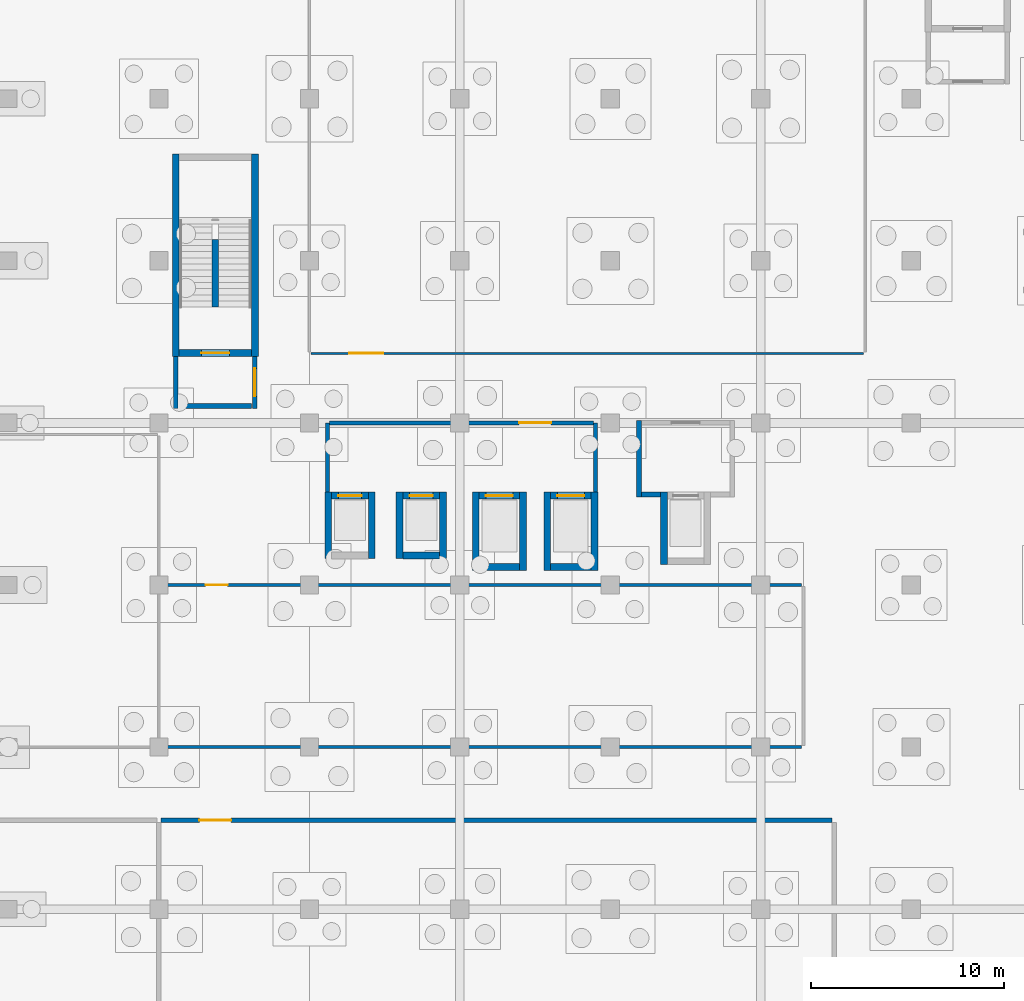
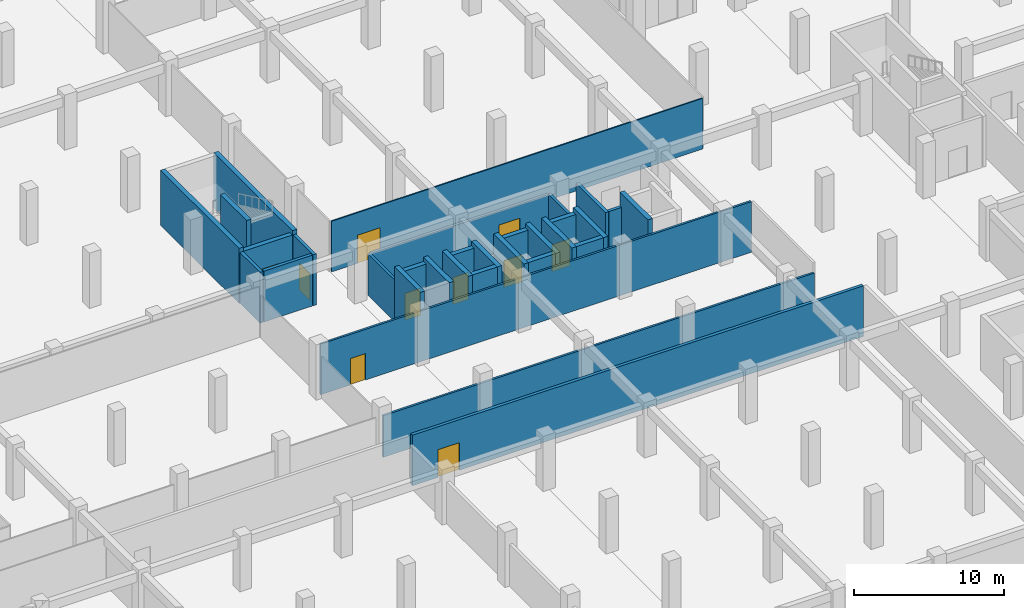
# One storey, part 17 of 30: 32 walls, 10 doors, 10 openings.
"""IFC4 building model written with IfcOpenShell, lengths in metres."""

from ifc_helpers import new_model, si_unit, direction, frame, frame_2d, origin, place, context, subcontext, project, spatial, rectangle, extrude, material, layer, layer_set, type_object, element, fill, save


model = new_model("IFC4")

# Units and contexts
model_context = context("Model", 3, precision=1e-05, world=origin(), true_north=direction((0.0, 1.0)))
body_context = subcontext(model_context, "Body", "Model", "MODEL_VIEW")
ifc_project = project(units=[si_unit("LENGTHUNIT", "METRE"), si_unit("AREAUNIT", "SQUARE_METRE"), si_unit("VOLUMEUNIT", "CUBIC_METRE"), si_unit("PLANEANGLEUNIT", "RADIAN"), si_unit("MASSUNIT", "GRAM", prefix="KILO"), si_unit("THERMODYNAMICTEMPERATUREUNIT", "KELVIN"), si_unit("POWERUNIT", "WATT")], contexts=[model_context])

# Site, building, storey
site_placement = place(None, origin())
site = spatial("IfcSite", under=ifc_project, at=site_placement, CompositionType="ELEMENT")
building_placement = place(site_placement, origin())
building = spatial("IfcBuilding", under=site, at=building_placement, Name="Srebrne Nadtorze General Hospital", CompositionType="ELEMENT")
storey_placement = place(building_placement, frame((0.0, 0.0, -4.5)))
storey = spatial("IfcBuildingStorey", under=building, at=storey_placement, Name="B1", CompositionType="ELEMENT", Elevation=-4.5)

# Wall, opening, door
ifc_material_1 = material(Name="Gypsum Healthcare Partition")
ifc_layer_1 = layer(ifc_material_1, 0.159912109375)
ifc_layer_set_1 = layer_set([ifc_layer_1], Name="Gypsum Healthcare Partition")
wall_type_1 = type_object("IfcWallType", Name="Clinical partition 160", PredefinedType="PARTITIONING", material=ifc_layer_set_1)
wall_1_placement = place(storey_placement, frame((101.485107421875, 42.0, 0.0), z_axis=(0.0, 0.0, 1.0), x_axis=(1.0, 0.0, 0.0)))
wall_1 = element("IfcWall", 1, at=wall_1_placement, inside=storey, type_object=wall_type_1, Name="Cryogenic Tissue and Specimen Bank wall WL-INT-B1-1276", PredefinedType="PARTITIONING", context=body_context, shape_type="SweptSolid", body=[
    extrude(rectangle(XDim=33.22998046875, YDim=0.159912109375, at=frame_2d((16.614990234375, 0.0))), origin(), (0.0, 0.0, 1.0), 4.1298828125),
])
opening_1_placement = place(wall_1_placement, frame((2.328857421875, 0.0, 0.0)))
opening_1 = element("IfcOpeningElement", 2, at=opening_1_placement, cuts=wall_1, Name="Opening D-B1-0183", PredefinedType="OPENING", context=body_context, shape_type="SweptSolid", body=[
    extrude(rectangle(XDim=1.14990234375, YDim=2.14990234375, at=frame_2d((0.574951171875, 1.074951171875))), frame((0.0, 0.091796875, 0.0), z_axis=(0.0, -1.0, 0.0), x_axis=(1.0, 0.0, 0.0)), (0.0, 0.0, 1.0), 0.183837890625),
])
ifc_material_2 = material(Name="Anodised Aluminium", Category="aluminium")
door_type_1 = type_object("IfcDoorType", Name="Single leaf door 1150x2150", OperationType="NOTDEFINED", PredefinedType="DOOR", material=ifc_material_2)
door_1_placement = place(opening_1_placement, frame((1.14990234375, 0.0, 0.0), z_axis=(0.0, 0.0, 1.0), x_axis=(-1.0, 0.0, 0.0)))
door_1 = element("IfcDoor", 3, at=door_1_placement, inside=storey, type_object=door_type_1, Name="Cryogenic Tissue and Specimen Bank door D-B1-0183", OperationType="SINGLE_SWING_RIGHT", OverallHeight=2.14990234375, OverallWidth=1.14990234375, PredefinedType="DOOR", context=body_context, shape_type="SweptSolid", body=[
    extrude(rectangle(XDim=1.14990234375, YDim=2.14990234375, at=frame_2d((0.574951171875, 1.074951171875))), frame((0.0, 0.02490234375, 0.0), z_axis=(0.0, -1.0, 0.0), x_axis=(1.0, 0.0, 0.0)), (0.0, 0.0, 1.0), 0.050048828125),
])
fill(opening_1, door_1)

# Walls
wall_2_placement = place(storey_placement, frame((101.485107421875, 33.60009765625, 0.0), z_axis=(0.0, 0.0, 1.0), x_axis=(1.0, 0.0, 0.0)))
element("IfcWall", 4, at=wall_2_placement, inside=storey, type_object=wall_type_1, Name="Cryogenic Tissue and Specimen Bank wall WL-INT-B1-1277", PredefinedType="PARTITIONING", context=body_context, shape_type="SweptSolid", body=[
    extrude(rectangle(XDim=33.22998046875, YDim=0.159912109375, at=frame_2d((16.614990234375, 0.0))), origin(), (0.0, 0.0, 1.0), 3.39990234375),
])
ifc_material_3 = material(Name="Gypsum Healthcare Partition")
ifc_layer_2 = layer(ifc_material_3, 0.199951171875)
ifc_layer_set_2 = layer_set([ifc_layer_2], Name="Gypsum Healthcare Partition")
wall_type_2 = type_object("IfcWallType", Name="Compartment wall 200", PredefinedType="STANDARD", material=ifc_layer_set_2)
for number, where, z_axis, x_axis, name in (
    (5, (110.1298828125, 46.81005859375, 0.0), (0.0, 0.0, 1.0), (0.0, 1.0, 0.0), "Lift lobby side wall WL-INT-B1-0888"),
    (6, (124.02001953125, 46.81005859375, 0.0), (0.0, 0.0, 1.0), (0.0, 1.0, 0.0), "Lift lobby side wall WL-INT-B1-0889"),
):
    element("IfcWall", number, at=place(storey_placement, frame(where, z_axis=z_axis, x_axis=x_axis)), inside=storey, type_object=wall_type_2, Name=name, PredefinedType="STANDARD", context=body_context, shape_type="SweptSolid", body=[
        extrude(rectangle(XDim=3.58984375, YDim=0.199951171875, at=frame_2d((1.794921875, 0.0))), origin(), (0.0, 0.0, 1.0), 3.39990234375),
    ])

# Wall, opening, door
wall_3_placement = place(storey_placement, frame((110.22998046875, 50.39990234375, 0.0), z_axis=(0.0, 0.0, 1.0), x_axis=(1.0, 0.0, 0.0)))
wall_3 = element("IfcWall", 7, at=wall_3_placement, inside=storey, type_object=wall_type_2, Name="Lift lobby corridor wall WL-INT-B1-0890", PredefinedType="STANDARD", context=body_context, shape_type="SweptSolid", body=[
    extrude(rectangle(XDim=13.68994140625, YDim=0.199951171875, at=frame_2d((6.844970703125, 0.0))), origin(), (0.0, 0.0, 1.0), 3.39990234375),
])
opening_2_placement = place(wall_3_placement, frame((9.844970703125, 0.0, 0.0)))
opening_2 = element("IfcOpeningElement", 8, at=opening_2_placement, cuts=wall_3, Name="Opening D-B1-0121", PredefinedType="OPENING", context=body_context, shape_type="SweptSolid", body=[
    extrude(rectangle(XDim=1.64990234375, YDim=2.25, at=frame_2d((0.824951171875, 1.125))), frame((0.0, 0.11181640625, 0.0), z_axis=(0.0, -1.0, 0.0), x_axis=(1.0, 0.0, 0.0)), (0.0, 0.0, 1.0), 0.223876953125),
])
ifc_material_4 = material(Name="Anodised Aluminium", Category="aluminium")
door_type_2 = type_object("IfcDoorType", Name="Double leaf door 1650x2250", OperationType="DOUBLE_DOOR_SINGLE_SWING", PredefinedType="DOOR", material=ifc_material_4)
door_2_placement = place(opening_2_placement, origin())
door_2 = element("IfcDoor", 9, at=door_2_placement, inside=storey, type_object=door_type_2, Name="Lift lobby corridor door D-B1-0121", OperationType="DOUBLE_DOOR_SINGLE_SWING", OverallHeight=2.25, OverallWidth=1.64990234375, PredefinedType="DOOR", context=body_context, shape_type="SweptSolid", body=[
    extrude(rectangle(XDim=1.64990234375, YDim=2.25, at=frame_2d((0.824951171875, 1.125))), frame((0.0, 0.02490234375, 0.0), z_axis=(0.0, -1.0, 0.0), x_axis=(1.0, 0.0, 0.0)), (0.0, 0.0, 1.0), 0.050048828125),
])
fill(opening_2, door_2)

# Wall
ifc_material_5 = material(Name="Gypsum Healthcare Partition")
ifc_layer_3 = layer(ifc_material_5, 0.239990234375)
ifc_layer_set_3 = layer_set([ifc_layer_3], Name="Gypsum Healthcare Partition")
wall_type_3 = type_object("IfcWallType", Name="Corridor fire wall 240", PredefinedType="STANDARD", material=ifc_layer_set_3)
wall_4_placement = place(storey_placement, frame((102.27490234375, 51.155029296875, 0.0), z_axis=(0.0, 0.0, 1.0), x_axis=(0.0, 1.0, 0.0)))
element("IfcWall", 10, at=wall_4_placement, inside=storey, type_object=wall_type_3, Name="Fire lobby wall ST-03 WL-INT-B1-0021", PredefinedType="STANDARD", context=body_context, shape_type="SweptSolid", body=[
    extrude(rectangle(XDim=2.695068359375, YDim=0.239990234375, at=frame_2d((1.34765625, 0.0))), origin(), (0.0, 0.0, 1.0), 4.14990234375),
])

# Wall, opening, door
wall_5_placement = place(storey_placement, frame((106.375, 51.155029296875, 0.0), z_axis=(0.0, 0.0, 1.0), x_axis=(0.0, 1.0, 0.0)))
wall_5 = element("IfcWall", 11, at=wall_5_placement, inside=storey, type_object=wall_type_3, Name="Fire lobby wall ST-03 WL-INT-B1-0022", PredefinedType="STANDARD", context=body_context, shape_type="SweptSolid", body=[
    extrude(rectangle(XDim=2.695068359375, YDim=0.239990234375, at=frame_2d((1.34765625, 0.0))), origin(), (0.0, 0.0, 1.0), 4.14990234375),
])
opening_3_placement = place(wall_5_placement, frame((0.62255859375, 0.0, 0.0)))
opening_3 = element("IfcOpeningElement", 12, at=opening_3_placement, cuts=wall_5, Name="Opening D-B1-0006", PredefinedType="OPENING", context=body_context, shape_type="SweptSolid", body=[
    extrude(rectangle(XDim=1.449951171875, YDim=2.199951171875, at=frame_2d((0.72509765625, 1.10009765625))), frame((0.0, 0.1318359375, 0.0), z_axis=(0.0, -1.0, 0.0), x_axis=(1.0, 0.0, 0.0)), (0.0, 0.0, 1.0), 0.263916015625),
])
ifc_material_6 = material(Name="Anodised Aluminium", Category="aluminium")
door_type_3 = type_object("IfcDoorType", Name="Double leaf door 1450x2200", OperationType="DOUBLE_DOOR_SINGLE_SWING", PredefinedType="DOOR", material=ifc_material_6)
door_3_placement = place(opening_3_placement, origin())
door_3 = element("IfcDoor", 13, at=door_3_placement, inside=storey, type_object=door_type_3, Name="Fire lobby door ST-03 D-B1-0006", OperationType="DOUBLE_DOOR_SINGLE_SWING", OverallHeight=2.199951171875, OverallWidth=1.449951171875, PredefinedType="DOOR", context=body_context, shape_type="SweptSolid", body=[
    extrude(rectangle(XDim=1.449951171875, YDim=2.199951171875, at=frame_2d((0.72509765625, 1.10009765625))), frame((0.0, 0.02490234375, 0.0), z_axis=(0.0, -1.0, 0.0), x_axis=(1.0, 0.0, 0.0)), (0.0, 0.0, 1.0), 0.050048828125),
])
fill(opening_3, door_3)

# Walls
wall_6_placement = place(storey_placement, frame((102.449951171875, 51.27490234375, 0.0), z_axis=(0.0, 0.0, 1.0), x_axis=(1.0, 0.0, 0.0)))
element("IfcWall", 14, at=wall_6_placement, inside=storey, type_object=wall_type_3, Name="Fire lobby entry wall ST-03 WL-INT-B1-0023", PredefinedType="STANDARD", context=body_context, shape_type="SweptSolid", body=[
    extrude(rectangle(XDim=3.75, YDim=0.239990234375, at=frame_2d((1.875, 0.0))), origin(), (0.0, 0.0, 1.0), 4.14990234375),
])
wall_7_placement = place(storey_placement, frame((126.280029296875, 46.570068359375, 0.0), z_axis=(0.0, 0.0, 1.0), x_axis=(0.0, 1.0, 0.0)))
element("IfcWall", 15, at=wall_7_placement, inside=storey, type_object=wall_type_3, Name="FF lift lobby wall WL-INT-B1-0883", PredefinedType="STANDARD", context=body_context, shape_type="SweptSolid", body=[
    extrude(rectangle(XDim=3.949951171875, YDim=0.239990234375, at=frame_2d((1.97509765625, 0.0))), origin(), (0.0, 0.0, 1.0), 3.39990234375),
])
wall_8_placement = place(storey_placement, frame((126.39990234375, 46.68994140625, 0.0), z_axis=(0.0, 0.0, 1.0), x_axis=(1.0, 0.0, 0.0)))
element("IfcWall", 16, at=wall_8_placement, inside=storey, type_object=wall_type_3, Name="FF lift lobby return wall WL-INT-B1-0885", PredefinedType="STANDARD", context=body_context, shape_type="SweptSolid", body=[
    extrude(rectangle(XDim=1.0, YDim=0.239990234375, at=frame_2d((0.5, 0.0))), origin(), (0.0, 0.0, 1.0), 3.39990234375),
])

# Wall, opening, door
wall_9_placement = place(storey_placement, frame((101.510009765625, 29.800048828125, 0.0), z_axis=(0.0, 0.0, 1.0), x_axis=(1.0, 0.0, 0.0)))
wall_9 = element("IfcWall", 17, at=wall_9_placement, inside=storey, type_object=wall_type_3, Name="Primary Chiller and District Heat Plant wall WL-INT-B1-1242", PredefinedType="STANDARD", context=body_context, shape_type="SweptSolid", body=[
    extrude(rectangle(XDim=34.780029296875, YDim=0.239990234375, at=frame_2d((17.39013671875, 0.0))), origin(), (0.0, 0.0, 1.0), 4.1298828125),
])
opening_4_placement = place(wall_9_placement, frame((1.985595703125, 0.0, 0.0)))
opening_4 = element("IfcOpeningElement", 18, at=opening_4_placement, cuts=wall_9, Name="Opening D-B1-0175", PredefinedType="OPENING", context=body_context, shape_type="SweptSolid", body=[
    extrude(rectangle(XDim=1.64990234375, YDim=2.25, at=frame_2d((0.824951171875, 1.125))), frame((0.0, 0.1318359375, 0.0), z_axis=(0.0, -1.0, 0.0), x_axis=(1.0, 0.0, 0.0)), (0.0, 0.0, 1.0), 0.263916015625),
])
door_4_placement = place(opening_4_placement, frame((1.64990234375, 0.0, 0.0), z_axis=(0.0, 0.0, 1.0), x_axis=(-1.0, 0.0, 0.0)))
door_4 = element("IfcDoor", 19, at=door_4_placement, inside=storey, type_object=door_type_2, Name="Primary Chiller and District Heat Plant door D-B1-0175", OperationType="DOUBLE_DOOR_SINGLE_SWING", OverallHeight=2.25, OverallWidth=1.64990234375, PredefinedType="DOOR", context=body_context, shape_type="SweptSolid", body=[
    extrude(rectangle(XDim=1.64990234375, YDim=2.25, at=frame_2d((0.824951171875, 1.125))), frame((0.0, 0.02490234375, 0.0), z_axis=(0.0, -1.0, 0.0), x_axis=(1.0, 0.0, 0.0)), (0.0, 0.0, 1.0), 0.050048828125),
])
fill(opening_4, door_4)

ifc_material_7 = material(Name="Gypsum Healthcare Partition")
ifc_layer_4 = layer(ifc_material_7, 0.10009765625)
ifc_layer_set_4 = layer_set([ifc_layer_4], Name="Gypsum Healthcare Partition")
wall_type_4 = type_object("IfcWallType", Name="Shaft lining wall 100", PredefinedType="PARTITIONING", material=ifc_layer_set_4)
wall_10_placement = place(storey_placement, frame((109.284912109375, 54.0, 0.0), z_axis=(0.0, 0.0, 1.0), x_axis=(1.0, 0.0, 0.0)))
wall_10 = element("IfcWall", 20, at=wall_10_placement, inside=storey, type_object=wall_type_4, Name="Main Medium-Voltage Switchroom wall WL-INT-B1-1248", PredefinedType="PARTITIONING", context=body_context, shape_type="SweptSolid", body=[
    extrude(rectangle(XDim=28.630126953125, YDim=0.10009765625, at=frame_2d((14.31494140625, 0.0))), origin(), (0.0, 0.0, 1.0), 4.1298828125),
])
opening_5_placement = place(wall_10_placement, frame((1.985595703125, 0.0, 0.0)))
opening_5 = element("IfcOpeningElement", 21, at=opening_5_placement, cuts=wall_10, Name="Opening D-B1-0176", PredefinedType="OPENING", context=body_context, shape_type="SweptSolid", body=[
    extrude(rectangle(XDim=1.75, YDim=2.300048828125, at=frame_2d((0.875, 1.14990234375))), frame((0.0, 0.06201171875, 0.0), z_axis=(0.0, -1.0, 0.0), x_axis=(1.0, 0.0, 0.0)), (0.0, 0.0, 1.0), 0.1240234375),
])
ifc_material_8 = material(Name="Anodised Aluminium", Category="aluminium")
door_type_4 = type_object("IfcDoorType", Name="Double leaf door 1750x2300", OperationType="DOUBLE_DOOR_SINGLE_SWING", PredefinedType="DOOR", material=ifc_material_8)
door_5_placement = place(opening_5_placement, origin())
door_5 = element("IfcDoor", 22, at=door_5_placement, inside=storey, type_object=door_type_4, Name="Main Medium-Voltage Switchroom door D-B1-0176", OperationType="DOUBLE_DOOR_SINGLE_SWING", OverallHeight=2.300048828125, OverallWidth=1.75, PredefinedType="DOOR", context=body_context, shape_type="SweptSolid", body=[
    extrude(rectangle(XDim=1.75, YDim=2.300048828125, at=frame_2d((0.875, 1.14990234375))), frame((0.0, 0.02490234375, 0.0), z_axis=(0.0, -1.0, 0.0), x_axis=(1.0, 0.0, 0.0)), (0.0, 0.0, 1.0), 0.050048828125),
])
fill(opening_5, door_5)

# Walls
ifc_material_9 = material(Name="Concrete C40/50", Category="concrete")
ifc_layer_5 = layer(ifc_material_9, 0.35009765625)
ifc_layer_set_5 = layer_set([ifc_layer_5], Name="Concrete C40/50")
wall_type_5 = type_object("IfcWallType", Name="Shear core wall 350", PredefinedType="SHEAR", material=ifc_layer_set_5)
for number, where, z_axis, x_axis, name in (
    (23, (102.27490234375, 53.85009765625, 0.0), (0.0, 0.0, 1.0), (0.0, 1.0, 0.0), "Stair core wall ST-03 WL-INT-B1-0017"),
    (24, (106.375, 53.85009765625, 0.0), (0.0, 0.0, 1.0), (0.0, 1.0, 0.0), "Stair core wall ST-03 WL-INT-B1-0018"),
):
    element("IfcWall", number, at=place(storey_placement, frame(where, z_axis=z_axis, x_axis=x_axis)), inside=storey, type_object=wall_type_5, Name=name, PredefinedType="SHEAR", context=body_context, shape_type="SweptSolid", body=[
        extrude(rectangle(XDim=10.5, YDim=0.35009765625, at=frame_2d((5.25, 0.0))), origin(), (0.0, 0.0, 1.0), 4.5),
    ])

# Wall, opening, door
wall_11_placement = place(storey_placement, frame((102.449951171875, 54.02490234375, 0.0), z_axis=(0.0, 0.0, 1.0), x_axis=(1.0, 0.0, 0.0)))
wall_11 = element("IfcWall", 25, at=wall_11_placement, inside=storey, type_object=wall_type_5, Name="Stairwell fire wall ST-03 WL-INT-B1-0020", PredefinedType="SHEAR", context=body_context, shape_type="SweptSolid", body=[
    extrude(rectangle(XDim=3.75, YDim=0.35009765625, at=frame_2d((1.875, 0.0))), origin(), (0.0, 0.0, 1.0), 4.14990234375),
])
opening_6_placement = place(wall_11_placement, frame((1.14990234375, 0.0, 0.0)))
opening_6 = element("IfcOpeningElement", 26, at=opening_6_placement, cuts=wall_11, Name="Opening D-B1-0005", PredefinedType="OPENING", context=body_context, shape_type="SweptSolid", body=[
    extrude(rectangle(XDim=1.449951171875, YDim=2.199951171875, at=frame_2d((0.72509765625, 1.10009765625))), frame((0.0, 0.18701171875, 0.0), z_axis=(0.0, -1.0, 0.0), x_axis=(1.0, 0.0, 0.0)), (0.0, 0.0, 1.0), 0.3740234375),
])
door_6_placement = place(opening_6_placement, origin())
door_6 = element("IfcDoor", 27, at=door_6_placement, inside=storey, type_object=door_type_3, Name="Protected stair door ST-03 D-B1-0005", OperationType="DOUBLE_DOOR_SINGLE_SWING", OverallHeight=2.199951171875, OverallWidth=1.449951171875, PredefinedType="DOOR", context=body_context, shape_type="SweptSolid", body=[
    extrude(rectangle(XDim=1.449951171875, YDim=2.199951171875, at=frame_2d((0.72509765625, 1.10009765625))), frame((0.0, 0.02490234375, 0.0), z_axis=(0.0, -1.0, 0.0), x_axis=(1.0, 0.0, 0.0)), (0.0, 0.0, 1.0), 0.050048828125),
])
fill(opening_6, door_6)

# Walls
wall_12_placement = place(storey_placement, frame((104.324951171875, 56.39990234375, 0.0), z_axis=(0.0, 0.0, 1.0), x_axis=(0.0, 1.0, 0.0)))
element("IfcWall", 28, at=wall_12_placement, inside=storey, type_object=wall_type_5, Name="Stair spine wall ST-03 WL-INT-B1-0024", PredefinedType="SHEAR", context=body_context, shape_type="SweptSolid", body=[
    extrude(rectangle(XDim=3.52001953125, YDim=0.35009765625, at=frame_2d((1.760009765625, 0.0))), origin(), (0.0, 0.0, 1.0), 4.5),
])
for number, where, z_axis, x_axis, name in (
    (29, (110.175048828125, 43.360107421875, 0.0), (0.0, 0.0, 1.0), (0.0, 1.0, 0.0), "Lift shaft wall LP-03 WL-INT-B1-0698"),
    (30, (112.425048828125, 43.360107421875, 0.0), (0.0, 0.0, 1.0), (0.0, 1.0, 0.0), "Lift shaft wall LP-03 WL-INT-B1-0699"),
):
    element("IfcWall", number, at=place(storey_placement, frame(where, z_axis=z_axis, x_axis=x_axis)), inside=storey, type_object=wall_type_5, Name=name, PredefinedType="SHEAR", context=body_context, shape_type="SweptSolid", body=[
        extrude(rectangle(XDim=3.449951171875, YDim=0.35009765625, at=frame_2d((1.72509765625, 0.0))), origin(), (0.0, 0.0, 1.0), 4.5),
    ])

# Wall, opening, door
wall_13_placement = place(storey_placement, frame((110.35009765625, 46.635009765625, 0.0), z_axis=(0.0, 0.0, 1.0), x_axis=(1.0, 0.0, 0.0)))
wall_13 = element("IfcWall", 31, at=wall_13_placement, inside=storey, type_object=wall_type_5, Name="Lift shaft front wall LP-03 WL-INT-B1-0701", PredefinedType="SHEAR", context=body_context, shape_type="SweptSolid", body=[
    extrude(rectangle(XDim=1.89990234375, YDim=0.35009765625, at=frame_2d((0.949951171875, 0.0))), origin(), (0.0, 0.0, 1.0), 4.14990234375),
])
opening_7_placement = place(wall_13_placement, frame((0.35009765625, 0.0, 0.0)))
opening_7 = element("IfcOpeningElement", 32, at=opening_7_placement, cuts=wall_13, Name="Opening LD-B1-059", PredefinedType="OPENING", context=body_context, shape_type="SweptSolid", body=[
    extrude(rectangle(XDim=1.199951171875, YDim=2.199951171875, at=frame_2d((0.60009765625, 1.10009765625))), frame((0.0, 0.18701171875, 0.0), z_axis=(0.0, -1.0, 0.0), x_axis=(1.0, 0.0, 0.0)), (0.0, 0.0, 1.0), 0.3740234375),
])
ifc_material_10 = material(Name="Anodised Aluminium", Category="aluminium")
door_type_5 = type_object("IfcDoorType", Name="Sliding lift door 1200x2200", OperationType="SLIDING_TO_LEFT", PredefinedType="DOOR", material=ifc_material_10)
door_7_placement = place(opening_7_placement, origin())
door_7 = element("IfcDoor", 33, at=door_7_placement, inside=storey, type_object=door_type_5, Name="Lift Landing Door LD-B1-059", OperationType="SLIDING_TO_LEFT", OverallHeight=2.199951171875, OverallWidth=1.199951171875, PredefinedType="DOOR", context=body_context, shape_type="SweptSolid", body=[
    extrude(rectangle(XDim=1.199951171875, YDim=2.199951171875, at=frame_2d((0.60009765625, 1.10009765625))), frame((0.0, 0.02490234375, 0.0), z_axis=(0.0, -1.0, 0.0), x_axis=(1.0, 0.0, 0.0)), (0.0, 0.0, 1.0), 0.050048828125),
])
fill(opening_7, door_7)

# Walls
for number, where, z_axis, x_axis, name in (
    (34, (113.875, 43.360107421875, 0.0), (0.0, 0.0, 1.0), (0.0, 1.0, 0.0), "Lift shaft wall LP-04 WL-INT-B1-0730"),
    (35, (116.125, 43.360107421875, 0.0), (0.0, 0.0, 1.0), (0.0, 1.0, 0.0), "Lift shaft wall LP-04 WL-INT-B1-0731"),
):
    element("IfcWall", number, at=place(storey_placement, frame(where, z_axis=z_axis, x_axis=x_axis)), inside=storey, type_object=wall_type_5, Name=name, PredefinedType="SHEAR", context=body_context, shape_type="SweptSolid", body=[
        extrude(rectangle(XDim=3.449951171875, YDim=0.35009765625, at=frame_2d((1.72509765625, 0.0))), origin(), (0.0, 0.0, 1.0), 4.5),
    ])
wall_14_placement = place(storey_placement, frame((114.050048828125, 43.534912109375, 0.0), z_axis=(0.0, 0.0, 1.0), x_axis=(1.0, 0.0, 0.0)))
element("IfcWall", 36, at=wall_14_placement, inside=storey, type_object=wall_type_5, Name="Lift shaft back wall LP-04 WL-INT-B1-0732", PredefinedType="SHEAR", context=body_context, shape_type="SweptSolid", body=[
    extrude(rectangle(XDim=1.89990234375, YDim=0.35009765625, at=frame_2d((0.949951171875, 0.0))), origin(), (0.0, 0.0, 1.0), 4.5),
])

# Wall, opening, door
wall_15_placement = place(storey_placement, frame((114.050048828125, 46.635009765625, 0.0), z_axis=(0.0, 0.0, 1.0), x_axis=(1.0, 0.0, 0.0)))
wall_15 = element("IfcWall", 37, at=wall_15_placement, inside=storey, type_object=wall_type_5, Name="Lift shaft front wall LP-04 WL-INT-B1-0733", PredefinedType="SHEAR", context=body_context, shape_type="SweptSolid", body=[
    extrude(rectangle(XDim=1.89990234375, YDim=0.35009765625, at=frame_2d((0.949951171875, 0.0))), origin(), (0.0, 0.0, 1.0), 4.14990234375),
])
opening_8_placement = place(wall_15_placement, frame((0.35009765625, 0.0, 0.0)))
opening_8 = element("IfcOpeningElement", 38, at=opening_8_placement, cuts=wall_15, Name="Opening LD-B1-067", PredefinedType="OPENING", context=body_context, shape_type="SweptSolid", body=[
    extrude(rectangle(XDim=1.199951171875, YDim=2.199951171875, at=frame_2d((0.60009765625, 1.10009765625))), frame((0.0, 0.18701171875, 0.0), z_axis=(0.0, -1.0, 0.0), x_axis=(1.0, 0.0, 0.0)), (0.0, 0.0, 1.0), 0.3740234375),
])
door_8_placement = place(opening_8_placement, origin())
door_8 = element("IfcDoor", 39, at=door_8_placement, inside=storey, type_object=door_type_5, Name="Lift Landing Door LD-B1-067", OperationType="SLIDING_TO_LEFT", OverallHeight=2.199951171875, OverallWidth=1.199951171875, PredefinedType="DOOR", context=body_context, shape_type="SweptSolid", body=[
    extrude(rectangle(XDim=1.199951171875, YDim=2.199951171875, at=frame_2d((0.60009765625, 1.10009765625))), frame((0.0, 0.02490234375, 0.0), z_axis=(0.0, -1.0, 0.0), x_axis=(1.0, 0.0, 0.0)), (0.0, 0.0, 1.0), 0.050048828125),
])
fill(opening_8, door_8)

# Walls
for number, where, z_axis, x_axis, name in (
    (40, (117.824951171875, 42.760009765625, 0.0), (0.0, 0.0, 1.0), (0.0, 1.0, 0.0), "Lift shaft wall LS-03 WL-INT-B1-0762"),
    (41, (120.27490234375, 42.760009765625, 0.0), (0.0, 0.0, 1.0), (0.0, 1.0, 0.0), "Lift shaft wall LS-03 WL-INT-B1-0763"),
):
    element("IfcWall", number, at=place(storey_placement, frame(where, z_axis=z_axis, x_axis=x_axis)), inside=storey, type_object=wall_type_5, Name=name, PredefinedType="SHEAR", context=body_context, shape_type="SweptSolid", body=[
        extrude(rectangle(XDim=4.050048828125, YDim=0.35009765625, at=frame_2d((2.02490234375, 0.0))), origin(), (0.0, 0.0, 1.0), 4.5),
    ])
wall_16_placement = place(storey_placement, frame((118.0, 42.93505859375, 0.0), z_axis=(0.0, 0.0, 1.0), x_axis=(1.0, 0.0, 0.0)))
element("IfcWall", 42, at=wall_16_placement, inside=storey, type_object=wall_type_5, Name="Lift shaft back wall LS-03 WL-INT-B1-0764", PredefinedType="SHEAR", context=body_context, shape_type="SweptSolid", body=[
    extrude(rectangle(XDim=2.10009765625, YDim=0.35009765625, at=frame_2d((1.050048828125, 0.0))), origin(), (0.0, 0.0, 1.0), 4.5),
])

# Wall, opening, door
wall_17_placement = place(storey_placement, frame((118.0, 46.635009765625, 0.0), z_axis=(0.0, 0.0, 1.0), x_axis=(1.0, 0.0, 0.0)))
wall_17 = element("IfcWall", 43, at=wall_17_placement, inside=storey, type_object=wall_type_5, Name="Lift shaft front wall LS-03 WL-INT-B1-0765", PredefinedType="SHEAR", context=body_context, shape_type="SweptSolid", body=[
    extrude(rectangle(XDim=2.10009765625, YDim=0.35009765625, at=frame_2d((1.050048828125, 0.0))), origin(), (0.0, 0.0, 1.0), 4.14990234375),
])
opening_9_placement = place(wall_17_placement, frame((0.35009765625, 0.0, 0.0)))
opening_9 = element("IfcOpeningElement", 44, at=opening_9_placement, cuts=wall_17, Name="Opening LD-B1-075", PredefinedType="OPENING", context=body_context, shape_type="SweptSolid", body=[
    extrude(rectangle(XDim=1.39990234375, YDim=2.199951171875, at=frame_2d((0.699951171875, 1.10009765625))), frame((0.0, 0.18701171875, 0.0), z_axis=(0.0, -1.0, 0.0), x_axis=(1.0, 0.0, 0.0)), (0.0, 0.0, 1.0), 0.3740234375),
])
ifc_material_11 = material(Name="Anodised Aluminium", Category="aluminium")
door_type_6 = type_object("IfcDoorType", Name="Sliding lift door 1400x2200", OperationType="SLIDING_TO_LEFT", PredefinedType="DOOR", material=ifc_material_11)
door_9_placement = place(opening_9_placement, origin())
door_9 = element("IfcDoor", 45, at=door_9_placement, inside=storey, type_object=door_type_6, Name="Lift Landing Door LD-B1-075", OperationType="SLIDING_TO_LEFT", OverallHeight=2.199951171875, OverallWidth=1.39990234375, PredefinedType="DOOR", context=body_context, shape_type="SweptSolid", body=[
    extrude(rectangle(XDim=1.39990234375, YDim=2.199951171875, at=frame_2d((0.699951171875, 1.10009765625))), frame((0.0, 0.02490234375, 0.0), z_axis=(0.0, -1.0, 0.0), x_axis=(1.0, 0.0, 0.0)), (0.0, 0.0, 1.0), 0.050048828125),
])
fill(opening_9, door_9)

# Walls
for number, where, z_axis, x_axis, name in (
    (46, (121.52490234375, 42.760009765625, 0.0), (0.0, 0.0, 1.0), (0.0, 1.0, 0.0), "Lift shaft wall LS-04 WL-INT-B1-0798"),
    (47, (123.97509765625, 42.760009765625, 0.0), (0.0, 0.0, 1.0), (0.0, 1.0, 0.0), "Lift shaft wall LS-04 WL-INT-B1-0799"),
):
    element("IfcWall", number, at=place(storey_placement, frame(where, z_axis=z_axis, x_axis=x_axis)), inside=storey, type_object=wall_type_5, Name=name, PredefinedType="SHEAR", context=body_context, shape_type="SweptSolid", body=[
        extrude(rectangle(XDim=4.050048828125, YDim=0.35009765625, at=frame_2d((2.02490234375, 0.0))), origin(), (0.0, 0.0, 1.0), 4.5),
    ])
wall_18_placement = place(storey_placement, frame((121.699951171875, 42.93505859375, 0.0), z_axis=(0.0, 0.0, 1.0), x_axis=(1.0, 0.0, 0.0)))
element("IfcWall", 48, at=wall_18_placement, inside=storey, type_object=wall_type_5, Name="Lift shaft back wall LS-04 WL-INT-B1-0800", PredefinedType="SHEAR", context=body_context, shape_type="SweptSolid", body=[
    extrude(rectangle(XDim=2.10009765625, YDim=0.35009765625, at=frame_2d((1.050048828125, 0.0))), origin(), (0.0, 0.0, 1.0), 4.5),
])

# Wall, opening, door
wall_19_placement = place(storey_placement, frame((121.699951171875, 46.635009765625, 0.0), z_axis=(0.0, 0.0, 1.0), x_axis=(1.0, 0.0, 0.0)))
wall_19 = element("IfcWall", 49, at=wall_19_placement, inside=storey, type_object=wall_type_5, Name="Lift shaft front wall LS-04 WL-INT-B1-0801", PredefinedType="SHEAR", context=body_context, shape_type="SweptSolid", body=[
    extrude(rectangle(XDim=2.10009765625, YDim=0.35009765625, at=frame_2d((1.050048828125, 0.0))), origin(), (0.0, 0.0, 1.0), 4.14990234375),
])
opening_10_placement = place(wall_19_placement, frame((0.35009765625, 0.0, 0.0)))
opening_10 = element("IfcOpeningElement", 50, at=opening_10_placement, cuts=wall_19, Name="Opening LD-B1-084", PredefinedType="OPENING", context=body_context, shape_type="SweptSolid", body=[
    extrude(rectangle(XDim=1.39990234375, YDim=2.199951171875, at=frame_2d((0.699951171875, 1.10009765625))), frame((0.0, 0.18701171875, 0.0), z_axis=(0.0, -1.0, 0.0), x_axis=(1.0, 0.0, 0.0)), (0.0, 0.0, 1.0), 0.3740234375),
])
door_10_placement = place(opening_10_placement, origin())
door_10 = element("IfcDoor", 51, at=door_10_placement, inside=storey, type_object=door_type_6, Name="Lift Landing Door LD-B1-084", OperationType="SLIDING_TO_LEFT", OverallHeight=2.199951171875, OverallWidth=1.39990234375, PredefinedType="DOOR", context=body_context, shape_type="SweptSolid", body=[
    extrude(rectangle(XDim=1.39990234375, YDim=2.199951171875, at=frame_2d((0.699951171875, 1.10009765625))), frame((0.0, 0.02490234375, 0.0), z_axis=(0.0, -1.0, 0.0), x_axis=(1.0, 0.0, 0.0)), (0.0, 0.0, 1.0), 0.050048828125),
])
fill(opening_10, door_10)

# Wall
wall_20_placement = place(storey_placement, frame((127.574951171875, 43.06005859375, 0.0), z_axis=(0.0, 0.0, 1.0), x_axis=(0.0, 1.0, 0.0)))
element("IfcWall", 52, at=wall_20_placement, inside=storey, type_object=wall_type_5, Name="Lift shaft wall FL-03 WL-INT-B1-0834", PredefinedType="SHEAR", context=body_context, shape_type="SweptSolid", body=[
    extrude(rectangle(XDim=3.75, YDim=0.35009765625, at=frame_2d((1.875, 0.0))), origin(), (0.0, 0.0, 1.0), 4.5),
])

save(model, "model.ifc")
